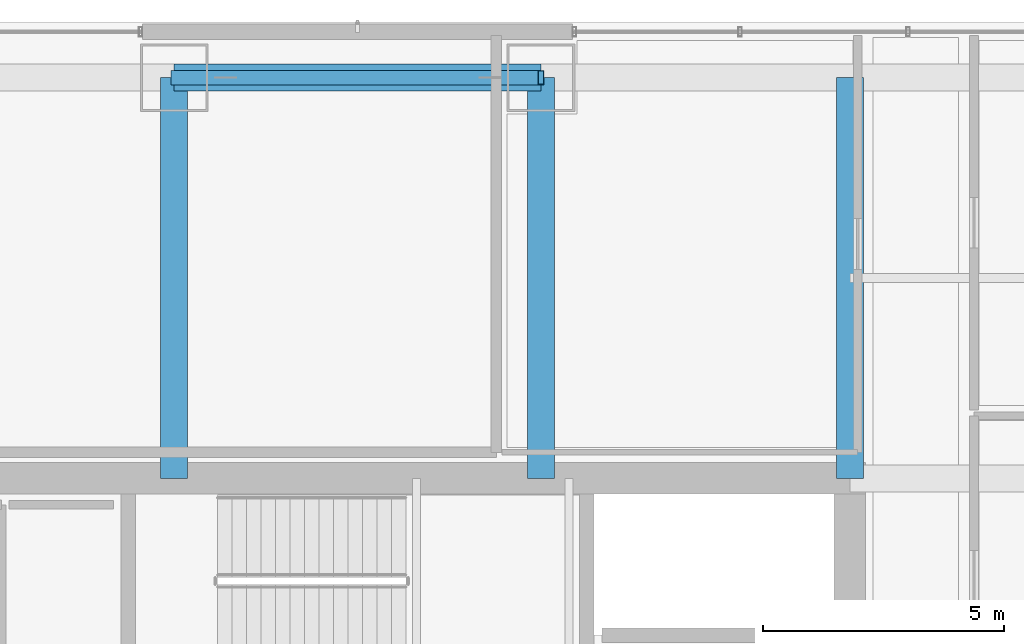
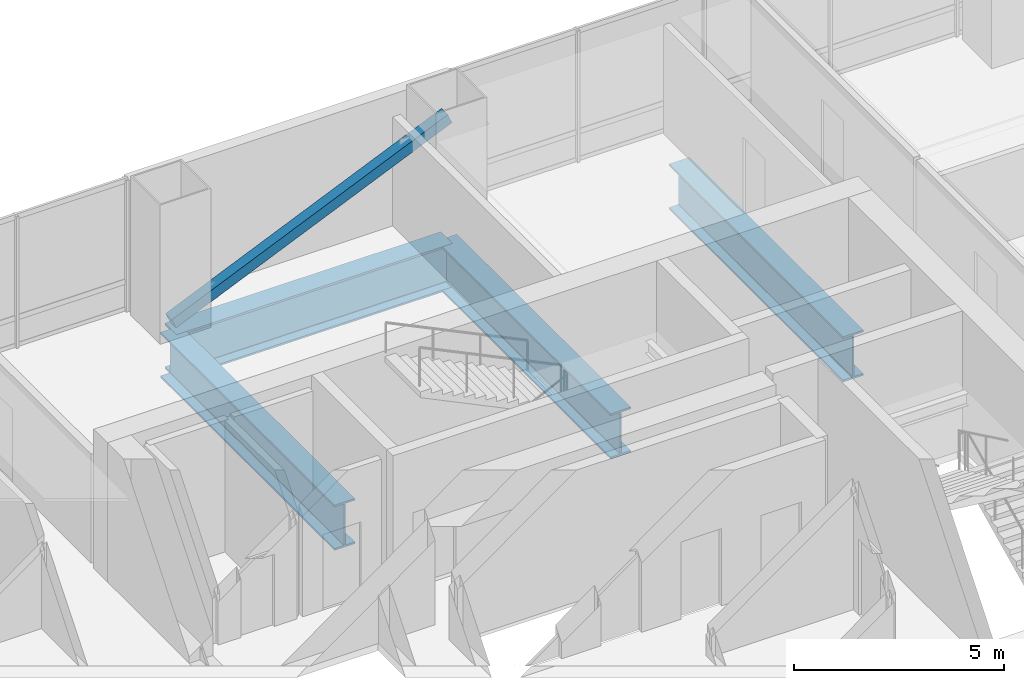
# One storey, part 21 of 41: 4 beams, 1 member.
"""IFC4 building model written with IfcOpenShell, lengths in metres."""

from ifc_helpers import new_model, si_unit, direction, frame, origin, origin_2d, place, context, subcontext, project, spatial, hollow_rectangle, i_section, extrude, material, material_profile, profile_set, type_object, element, save


model = new_model("IFC4")

# Units and contexts
model_context = context("Model", 3, precision=1e-05, world=origin(), true_north=direction((0.0, 1.0)))
body_context = subcontext(model_context, "Body", "Model", "MODEL_VIEW")
ifc_project = project(units=[si_unit("LENGTHUNIT", "METRE"), si_unit("AREAUNIT", "SQUARE_METRE"), si_unit("VOLUMEUNIT", "CUBIC_METRE"), si_unit("PLANEANGLEUNIT", "RADIAN"), si_unit("MASSUNIT", "GRAM", prefix="KILO")], contexts=[model_context])

# Site, building, storey
site_placement = place(None, origin())
site = spatial("IfcSite", under=ifc_project, at=site_placement, CompositionType="ELEMENT")
building_placement = place(site_placement, origin())
building = spatial("IfcBuilding", under=site, at=building_placement, Name="Punatoya Terracotta Tower", CompositionType="ELEMENT")
storey_placement = place(building_placement, frame((0.0, 0.0, 220.800048828125)))
storey = spatial("IfcBuildingStorey", under=building, at=storey_placement, Name="L52", CompositionType="ELEMENT", Elevation=220.800048828125)

# Beams
ifc_material_1 = material(Name="Steel S460", Category="steel")
ifc_material_profile_1 = material_profile(ifc_material_1, i_section(OverallWidth=0.56005859375, OverallDepth=1.320068359375, WebThickness=0.035888671875, FlangeThickness=0.054931640625, FilletRadius=0.01806640625, at=origin_2d()))
ifc_profile_set_1 = profile_set([ifc_material_profile_1], Name="Steel S460")
beam_type = type_object("IfcBeamType", Name="BM-TG-BLK", PredefinedType="BEAM", material=ifc_profile_set_1)
beam_placement = place(storey_placement, frame((-3.800048828125, 17.5, -0.880126953125), z_axis=(1.0, 0.0, 0.0), x_axis=(0.0, 1.0, 0.0)))
element("IfcBeam", 1, at=beam_placement, inside=storey, type_object=beam_type, Name="BM-L52-RG-N2", PredefinedType="BEAM", context=body_context, shape_type="SweptSolid", body=[
    extrude(i_section(OverallWidth=0.56005859375, OverallDepth=1.320068359375, WebThickness=0.035888671875, FlangeThickness=0.054931640625, FilletRadius=0.01806640625, at=origin_2d()), origin(), (0.0, 0.0, 1.0), 7.60009765625),
])
for number, where, z_axis, x_axis, name in (
    (2, (-3.800048828125, 9.199951171875, -0.880126953125), (0.0, 1.0, 0.0), (-1.0, 0.0, 0.0), "BM-L52-PR-N2"),
    (3, (3.800048828125, 9.199951171875, -0.880126953125), (0.0, 1.0, 0.0), (-1.0, 0.0, 0.0), "BM-L52-PR-N3"),
    (4, (10.199951171875, 9.199951171875, -0.880126953125), (0.0, 1.0, 0.0), (-1.0, 0.0, 0.0), "BM-L52-PR-N4"),
):
    element("IfcBeam", number, at=place(storey_placement, frame(where, z_axis=z_axis, x_axis=x_axis)), inside=storey, type_object=beam_type, Name=name, PredefinedType="BEAM", context=body_context, shape_type="SweptSolid", body=[
        extrude(i_section(OverallWidth=0.56005859375, OverallDepth=1.320068359375, WebThickness=0.035888671875, FlangeThickness=0.054931640625, FilletRadius=0.01806640625, at=origin_2d()), origin(), (0.0, 0.0, 1.0), 8.300048828125),
    ])

# Member
ifc_material_2 = material(Name="Steel S355", Category="steel")
ifc_material_profile_2 = material_profile(ifc_material_2, hollow_rectangle(XDim=0.300048828125, YDim=0.300048828125, WallThickness=0.01611328125, at=origin_2d()))
ifc_profile_set_2 = profile_set([ifc_material_profile_2], Name="Steel S355")
member_type = type_object("IfcMemberType", Name="MEM-WND-300", PredefinedType="BRACE", material=ifc_profile_set_2)
member_placement = place(storey_placement, frame((-3.800048828125, 17.5, 0.02001953125), z_axis=(0.916830625549, 0.0, 0.399276350484), x_axis=(0.0, 1.0, 0.0)))
element("IfcMember", 5, at=member_placement, inside=storey, type_object=member_type, Name="L52 Perimeter Wind Brace N2", PredefinedType="BRACE", context=body_context, shape_type="SweptSolid", body=[
    extrude(hollow_rectangle(XDim=0.300048828125, YDim=0.300048828125, WallThickness=0.01611328125, at=origin_2d()), origin(), (0.0, 0.0, 1.0), 8.28955078125),
])

save(model, "model.ifc")
